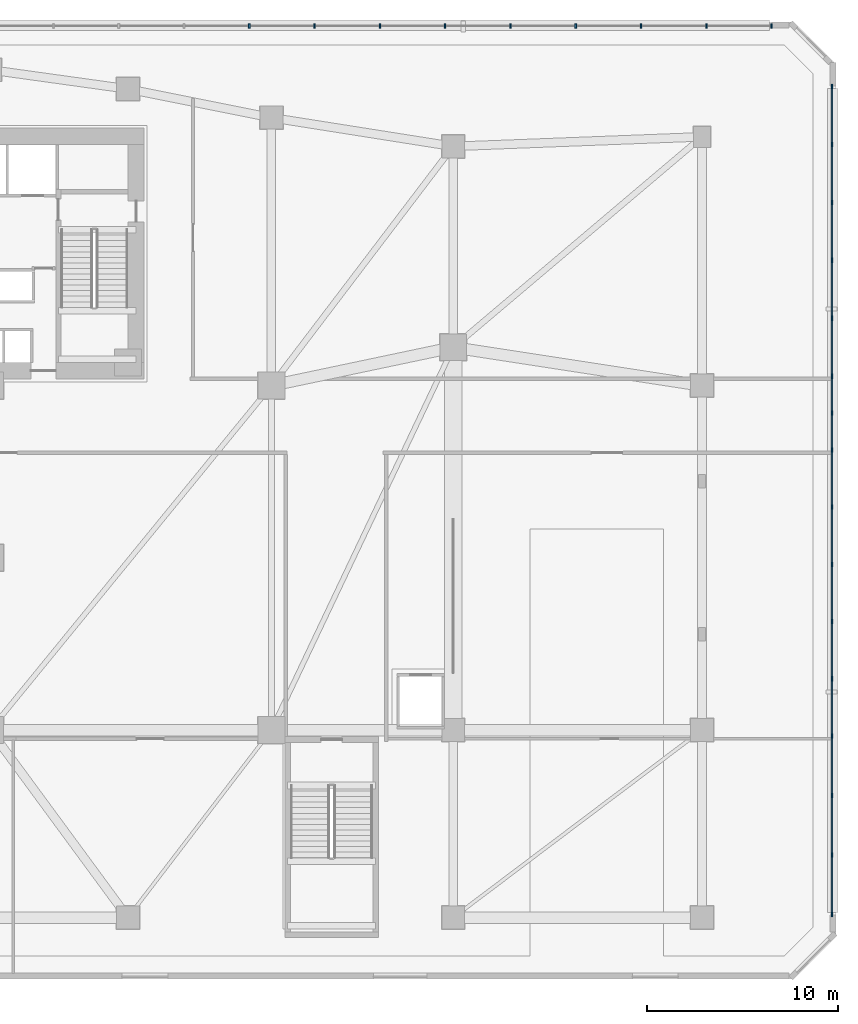
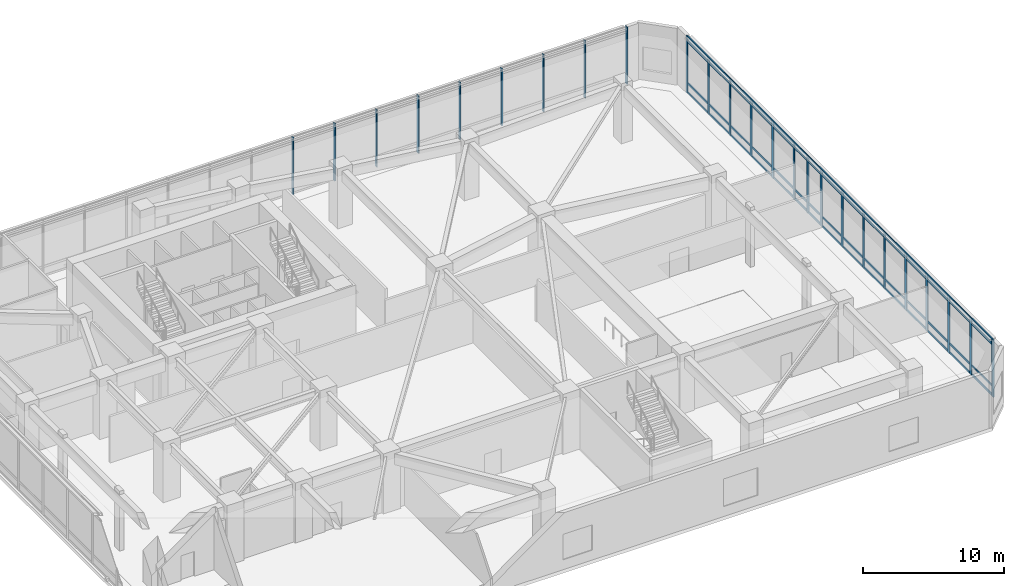
# One storey, part 7 of 18: 29 members, 2 elements without a shape of their own.
"""IFC4 building model written with IfcOpenShell, lengths in metres."""

from ifc_helpers import new_model, si_unit, direction, frame, origin, origin_2d, place, context, subcontext, project, spatial, rectangle, extrude, source, transform, mapped, material, material_profile, profile_set, type_object, element, aggregate, save


model = new_model("IFC4")

# Units and contexts
model_context = context("Model", 3, precision=1e-05, world=origin(), true_north=direction((0.0, 1.0)))
body_context = subcontext(model_context, "Body", "Model", "MODEL_VIEW")
ifc_project = project(units=[si_unit("LENGTHUNIT", "METRE"), si_unit("AREAUNIT", "SQUARE_METRE"), si_unit("VOLUMEUNIT", "CUBIC_METRE"), si_unit("PLANEANGLEUNIT", "RADIAN"), si_unit("MASSUNIT", "GRAM", prefix="KILO")], contexts=[model_context])

# Site, building, storey
site_placement = place(None, origin())
site = spatial("IfcSite", under=ifc_project, at=site_placement, CompositionType="ELEMENT")
building_placement = place(site_placement, origin())
building = spatial("IfcBuilding", under=site, at=building_placement, Name="Calvemar Wedge Station Tower", CompositionType="ELEMENT")
storey_placement = place(building_placement, frame((0.0, 0.0, 11.199951171875)))
storey = spatial("IfcBuildingStorey", under=building, at=storey_placement, Name="L03", CompositionType="ELEMENT", Elevation=11.199951171875)

# Curtain wall, members
ifc_material = material(Name="Anodised aluminium 6063-T6", Category="aluminium")
curtain_wall_type = type_object("IfcCurtainWallType", Name="CW5", PredefinedType="NOTDEFINED", material=ifc_material)
curtain_wall_1_placement = place(storey_placement, origin())
curtain_wall_1 = element("IfcCurtainWall", 1, at=curtain_wall_1_placement, inside=storey, type_object=curtain_wall_type, Name="Storey L03 CW5 Recessed Unitised Curtain Wall 2", PredefinedType="NOTDEFINED")
ifc_material_profile_1 = material_profile(ifc_material, rectangle(XDim=0.0849609375, YDim=0.169921875, at=origin_2d()), Name="AL-TRN-85x170")
ifc_profile_set_1 = profile_set([ifc_material_profile_1], Name="Anodised aluminium 6063-T6")
member_type_1 = type_object("IfcMemberType", Name="CW5-TRN", PredefinedType="USERDEFINED", material=ifc_profile_set_1)
shared_shape_1 = source(origin(), body_context, "Body", "SweptSolid", [
    extrude(rectangle(XDim=0.0849609375, YDim=0.169921875, at=origin_2d()), origin(), (0.0, 0.0, 1.0), 43.27587890625),
])
member_1_placement = place(storey_placement, frame((67.7900390625, 5.362060546875, 0.06005859375), z_axis=(0.0, 1.0, 0.0), x_axis=(-1.0, 0.0, 0.0)))
member_1 = element("IfcMember", 2, at=member_1_placement, type_object=member_type_1, Name="CW5 transom 1", ObjectType="TRANSOM", PredefinedType="USERDEFINED", context=body_context, shape_type="MappedRepresentation", body=[
    mapped(shared_shape_1, transform((0.0, 0.0, 0.0), scale=1.0)),
])
member_2_placement = place(storey_placement, frame((67.7900390625, 5.362060546875, 0.85009765625), z_axis=(0.0, 1.0, 0.0), x_axis=(-1.0, 0.0, 0.0)))
member_2 = element("IfcMember", 3, at=member_2_placement, type_object=member_type_1, Name="CW5 transom 2", ObjectType="TRANSOM", PredefinedType="USERDEFINED", context=body_context, shape_type="MappedRepresentation", body=[
    mapped(shared_shape_1, transform((0.0, 0.0, 0.0), scale=1.0)),
])
member_3_placement = place(storey_placement, frame((67.7900390625, 5.362060546875, 4.449951171875), z_axis=(0.0, 1.0, 0.0), x_axis=(-1.0, 0.0, 0.0)))
member_3 = element("IfcMember", 4, at=member_3_placement, type_object=member_type_1, Name="CW5 transom 3", ObjectType="TRANSOM", PredefinedType="USERDEFINED", context=body_context, shape_type="MappedRepresentation", body=[
    mapped(shared_shape_1, transform((0.0, 0.0, 0.0), scale=1.0)),
])
member_4_placement = place(storey_placement, frame((67.7900390625, 5.362060546875, 4.840087890625), z_axis=(0.0, 1.0, 0.0), x_axis=(-1.0, 0.0, 0.0)))
member_4 = element("IfcMember", 5, at=member_4_placement, type_object=member_type_1, Name="CW5 transom 4", ObjectType="TRANSOM", PredefinedType="USERDEFINED", context=body_context, shape_type="MappedRepresentation", body=[
    mapped(shared_shape_1, transform((0.0, 0.0, 0.0), scale=1.0)),
])
ifc_material_profile_2 = material_profile(ifc_material, rectangle(XDim=0.0849609375, YDim=0.239990234375, at=origin_2d()), Name="AL-MUL-85x240")
ifc_profile_set_2 = profile_set([ifc_material_profile_2], Name="Anodised aluminium 6063-T6")
member_type_2 = type_object("IfcMemberType", Name="CW5-MUL", PredefinedType="MULLION", material=ifc_profile_set_2)
shared_shape_2 = source(origin(), body_context, "Body", "SweptSolid", [
    extrude(rectangle(XDim=0.0849609375, YDim=0.239990234375, at=origin_2d()), origin(), (0.0, 0.0, 1.0), 4.9501953125),
])
member_5_placement = place(storey_placement, frame((67.7900390625, 5.362060546875, -0.050048828125), z_axis=(0.0, 0.0, 1.0), x_axis=(1.0, 0.0, 0.0)))
member_5 = element("IfcMember", 6, at=member_5_placement, type_object=member_type_2, Name="CW5 mullion 1", PredefinedType="MULLION", context=body_context, shape_type="MappedRepresentation", body=[
    mapped(shared_shape_2, transform((0.0, 0.0, 0.0), scale=1.0)),
])
member_6_placement = place(storey_placement, frame((67.7900390625, 8.471435546875, -0.050048828125), z_axis=(0.0, 0.0, 1.0), x_axis=(1.0, 0.0, 0.0)))
member_6 = element("IfcMember", 7, at=member_6_placement, type_object=member_type_2, Name="CW5 mullion 2", PredefinedType="MULLION", context=body_context, shape_type="MappedRepresentation", body=[
    mapped(shared_shape_2, transform((0.0, 0.0, 0.0), scale=1.0)),
])
member_7_placement = place(storey_placement, frame((67.7900390625, 11.580810546875, -0.050048828125), z_axis=(0.0, 0.0, 1.0), x_axis=(1.0, 0.0, 0.0)))
member_7 = element("IfcMember", 8, at=member_7_placement, type_object=member_type_2, Name="CW5 mullion 3", PredefinedType="MULLION", context=body_context, shape_type="MappedRepresentation", body=[
    mapped(shared_shape_2, transform((0.0, 0.0, 0.0), scale=1.0)),
])
member_8_placement = place(storey_placement, frame((67.7900390625, 14.68994140625, -0.050048828125), z_axis=(0.0, 0.0, 1.0), x_axis=(1.0, 0.0, 0.0)))
member_8 = element("IfcMember", 9, at=member_8_placement, type_object=member_type_2, Name="CW5 mullion 4", PredefinedType="MULLION", context=body_context, shape_type="MappedRepresentation", body=[
    mapped(shared_shape_2, transform((0.0, 0.0, 0.0), scale=1.0)),
])
member_9_placement = place(storey_placement, frame((67.7900390625, 17.679931640625, -0.050048828125), z_axis=(0.0, 0.0, 1.0), x_axis=(1.0, 0.0, 0.0)))
member_9 = element("IfcMember", 10, at=member_9_placement, type_object=member_type_2, Name="CW5 mullion 5", PredefinedType="MULLION", context=body_context, shape_type="MappedRepresentation", body=[
    mapped(shared_shape_2, transform((0.0, 0.0, 0.0), scale=1.0)),
])
member_10_placement = place(storey_placement, frame((67.7900390625, 20.669921875, -0.050048828125), z_axis=(0.0, 0.0, 1.0), x_axis=(1.0, 0.0, 0.0)))
member_10 = element("IfcMember", 11, at=member_10_placement, type_object=member_type_2, Name="CW5 mullion 6", PredefinedType="MULLION", context=body_context, shape_type="MappedRepresentation", body=[
    mapped(shared_shape_2, transform((0.0, 0.0, 0.0), scale=1.0)),
])
member_11_placement = place(storey_placement, frame((67.7900390625, 23.659912109375, -0.050048828125), z_axis=(0.0, 0.0, 1.0), x_axis=(1.0, 0.0, 0.0)))
member_11 = element("IfcMember", 12, at=member_11_placement, type_object=member_type_2, Name="CW5 mullion 7", PredefinedType="MULLION", context=body_context, shape_type="MappedRepresentation", body=[
    mapped(shared_shape_2, transform((0.0, 0.0, 0.0), scale=1.0)),
])
member_12_placement = place(storey_placement, frame((67.7900390625, 26.64990234375, -0.050048828125), z_axis=(0.0, 0.0, 1.0), x_axis=(1.0, 0.0, 0.0)))
member_12 = element("IfcMember", 13, at=member_12_placement, type_object=member_type_2, Name="CW5 mullion 8", PredefinedType="MULLION", context=body_context, shape_type="MappedRepresentation", body=[
    mapped(shared_shape_2, transform((0.0, 0.0, 0.0), scale=1.0)),
])
member_13_placement = place(storey_placement, frame((67.7900390625, 29.639892578125, -0.050048828125), z_axis=(0.0, 0.0, 1.0), x_axis=(1.0, 0.0, 0.0)))
member_13 = element("IfcMember", 14, at=member_13_placement, type_object=member_type_2, Name="CW5 mullion 9", PredefinedType="MULLION", context=body_context, shape_type="MappedRepresentation", body=[
    mapped(shared_shape_2, transform((0.0, 0.0, 0.0), scale=1.0)),
])
member_14_placement = place(storey_placement, frame((67.7900390625, 31.56494140625, -0.050048828125), z_axis=(0.0, 0.0, 1.0), x_axis=(1.0, 0.0, 0.0)))
member_14 = element("IfcMember", 15, at=member_14_placement, type_object=member_type_2, Name="CW5 mullion 10", PredefinedType="MULLION", context=body_context, shape_type="MappedRepresentation", body=[
    mapped(shared_shape_2, transform((0.0, 0.0, 0.0), scale=1.0)),
])
member_15_placement = place(storey_placement, frame((67.7900390625, 33.489990234375, -0.050048828125), z_axis=(0.0, 0.0, 1.0), x_axis=(1.0, 0.0, 0.0)))
member_15 = element("IfcMember", 16, at=member_15_placement, type_object=member_type_2, Name="CW5 mullion 11", PredefinedType="MULLION", context=body_context, shape_type="MappedRepresentation", body=[
    mapped(shared_shape_2, transform((0.0, 0.0, 0.0), scale=1.0)),
])
member_16_placement = place(storey_placement, frame((67.7900390625, 36.51953125, -0.050048828125), z_axis=(0.0, 0.0, 1.0), x_axis=(1.0, 0.0, 0.0)))
member_16 = element("IfcMember", 17, at=member_16_placement, type_object=member_type_2, Name="CW5 mullion 12", PredefinedType="MULLION", context=body_context, shape_type="MappedRepresentation", body=[
    mapped(shared_shape_2, transform((0.0, 0.0, 0.0), scale=1.0)),
])
member_17_placement = place(storey_placement, frame((67.7900390625, 39.54931640625, -0.050048828125), z_axis=(0.0, 0.0, 1.0), x_axis=(1.0, 0.0, 0.0)))
member_17 = element("IfcMember", 18, at=member_17_placement, type_object=member_type_2, Name="CW5 mullion 13", PredefinedType="MULLION", context=body_context, shape_type="MappedRepresentation", body=[
    mapped(shared_shape_2, transform((0.0, 0.0, 0.0), scale=1.0)),
])
member_18_placement = place(storey_placement, frame((67.7900390625, 42.57861328125, -0.050048828125), z_axis=(0.0, 0.0, 1.0), x_axis=(1.0, 0.0, 0.0)))
member_18 = element("IfcMember", 19, at=member_18_placement, type_object=member_type_2, Name="CW5 mullion 14", PredefinedType="MULLION", context=body_context, shape_type="MappedRepresentation", body=[
    mapped(shared_shape_2, transform((0.0, 0.0, 0.0), scale=1.0)),
])
member_19_placement = place(storey_placement, frame((67.7900390625, 45.6083984375, -0.050048828125), z_axis=(0.0, 0.0, 1.0), x_axis=(1.0, 0.0, 0.0)))
member_19 = element("IfcMember", 20, at=member_19_placement, type_object=member_type_2, Name="CW5 mullion 15", PredefinedType="MULLION", context=body_context, shape_type="MappedRepresentation", body=[
    mapped(shared_shape_2, transform((0.0, 0.0, 0.0), scale=1.0)),
])
member_20_placement = place(storey_placement, frame((67.7900390625, 48.637939453125, -0.050048828125), z_axis=(0.0, 0.0, 1.0), x_axis=(1.0, 0.0, 0.0)))
member_20 = element("IfcMember", 21, at=member_20_placement, type_object=member_type_2, Name="CW5 mullion 16", PredefinedType="MULLION", context=body_context, shape_type="MappedRepresentation", body=[
    mapped(shared_shape_2, transform((0.0, 0.0, 0.0), scale=1.0)),
])
aggregate(curtain_wall_1, [member_5, member_6, member_7, member_8, member_9, member_10, member_11, member_12, member_13, member_14, member_15, member_16, member_17, member_18, member_19, member_20, member_1, member_2, member_3, member_4])

curtain_wall_2_placement = place(storey_placement, origin())
curtain_wall_2 = element("IfcCurtainWall", 22, at=curtain_wall_2_placement, inside=storey, type_object=curtain_wall_type, Name="Storey L03 CW5 Recessed Unitised Curtain Wall 4", PredefinedType="NOTDEFINED")
member_21_placement = place(storey_placement, frame((64.637939453125, 51.7900390625, -0.050048828125), z_axis=(0.0, 0.0, 1.0), x_axis=(1.0, 0.0, 0.0)))
member_21 = element("IfcMember", 23, at=member_21_placement, type_object=member_type_2, Name="CW5 mullion 1", PredefinedType="MULLION", context=body_context, shape_type="MappedRepresentation", body=[
    mapped(shared_shape_2, transform((0.0, 0.0, 0.0), scale=1.0)),
])
member_22_placement = place(storey_placement, frame((61.22607421875, 51.7900390625, -0.050048828125), z_axis=(0.0, 0.0, 1.0), x_axis=(1.0, 0.0, 0.0)))
member_22 = element("IfcMember", 24, at=member_22_placement, type_object=member_type_2, Name="CW5 mullion 2", PredefinedType="MULLION", context=body_context, shape_type="MappedRepresentation", body=[
    mapped(shared_shape_2, transform((0.0, 0.0, 0.0), scale=1.0)),
])
member_23_placement = place(storey_placement, frame((57.814208984375, 51.7900390625, -0.050048828125), z_axis=(0.0, 0.0, 1.0), x_axis=(1.0, 0.0, 0.0)))
member_23 = element("IfcMember", 25, at=member_23_placement, type_object=member_type_2, Name="CW5 mullion 3", PredefinedType="MULLION", context=body_context, shape_type="MappedRepresentation", body=[
    mapped(shared_shape_2, transform((0.0, 0.0, 0.0), scale=1.0)),
])
member_24_placement = place(storey_placement, frame((54.40234375, 51.7900390625, -0.050048828125), z_axis=(0.0, 0.0, 1.0), x_axis=(1.0, 0.0, 0.0)))
member_24 = element("IfcMember", 26, at=member_24_placement, type_object=member_type_2, Name="CW5 mullion 4", PredefinedType="MULLION", context=body_context, shape_type="MappedRepresentation", body=[
    mapped(shared_shape_2, transform((0.0, 0.0, 0.0), scale=1.0)),
])
member_25_placement = place(storey_placement, frame((50.990478515625, 51.7900390625, -0.050048828125), z_axis=(0.0, 0.0, 1.0), x_axis=(1.0, 0.0, 0.0)))
member_25 = element("IfcMember", 27, at=member_25_placement, type_object=member_type_2, Name="CW5 mullion 5", PredefinedType="MULLION", context=body_context, shape_type="MappedRepresentation", body=[
    mapped(shared_shape_2, transform((0.0, 0.0, 0.0), scale=1.0)),
])
member_26_placement = place(storey_placement, frame((47.57861328125, 51.7900390625, -0.050048828125), z_axis=(0.0, 0.0, 1.0), x_axis=(1.0, 0.0, 0.0)))
member_26 = element("IfcMember", 28, at=member_26_placement, type_object=member_type_2, Name="CW5 mullion 6", PredefinedType="MULLION", context=body_context, shape_type="MappedRepresentation", body=[
    mapped(shared_shape_2, transform((0.0, 0.0, 0.0), scale=1.0)),
])
member_27_placement = place(storey_placement, frame((44.166748046875, 51.7900390625, -0.050048828125), z_axis=(0.0, 0.0, 1.0), x_axis=(1.0, 0.0, 0.0)))
member_27 = element("IfcMember", 29, at=member_27_placement, type_object=member_type_2, Name="CW5 mullion 7", PredefinedType="MULLION", context=body_context, shape_type="MappedRepresentation", body=[
    mapped(shared_shape_2, transform((0.0, 0.0, 0.0), scale=1.0)),
])
member_28_placement = place(storey_placement, frame((40.7548828125, 51.7900390625, -0.050048828125), z_axis=(0.0, 0.0, 1.0), x_axis=(1.0, 0.0, 0.0)))
member_28 = element("IfcMember", 30, at=member_28_placement, type_object=member_type_2, Name="CW5 mullion 8", PredefinedType="MULLION", context=body_context, shape_type="MappedRepresentation", body=[
    mapped(shared_shape_2, transform((0.0, 0.0, 0.0), scale=1.0)),
])
member_29_placement = place(storey_placement, frame((37.343017578125, 51.7900390625, -0.050048828125), z_axis=(0.0, 0.0, 1.0), x_axis=(1.0, 0.0, 0.0)))
member_29 = element("IfcMember", 31, at=member_29_placement, type_object=member_type_2, Name="CW5 mullion 9", PredefinedType="MULLION", context=body_context, shape_type="MappedRepresentation", body=[
    mapped(shared_shape_2, transform((0.0, 0.0, 0.0), scale=1.0)),
])
aggregate(curtain_wall_2, [member_21, member_22, member_23, member_24, member_25, member_26, member_27, member_28, member_29])

save(model, "model.ifc")
